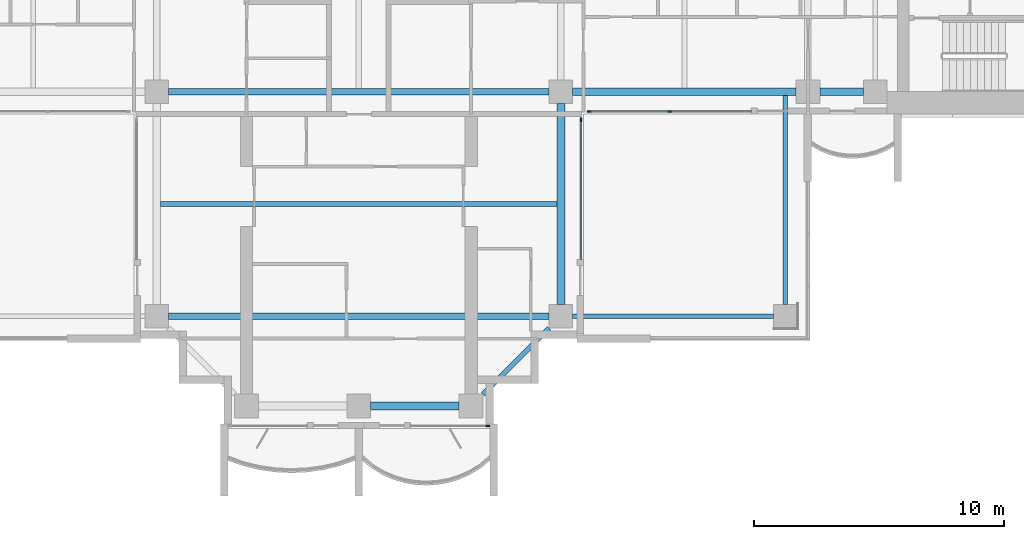
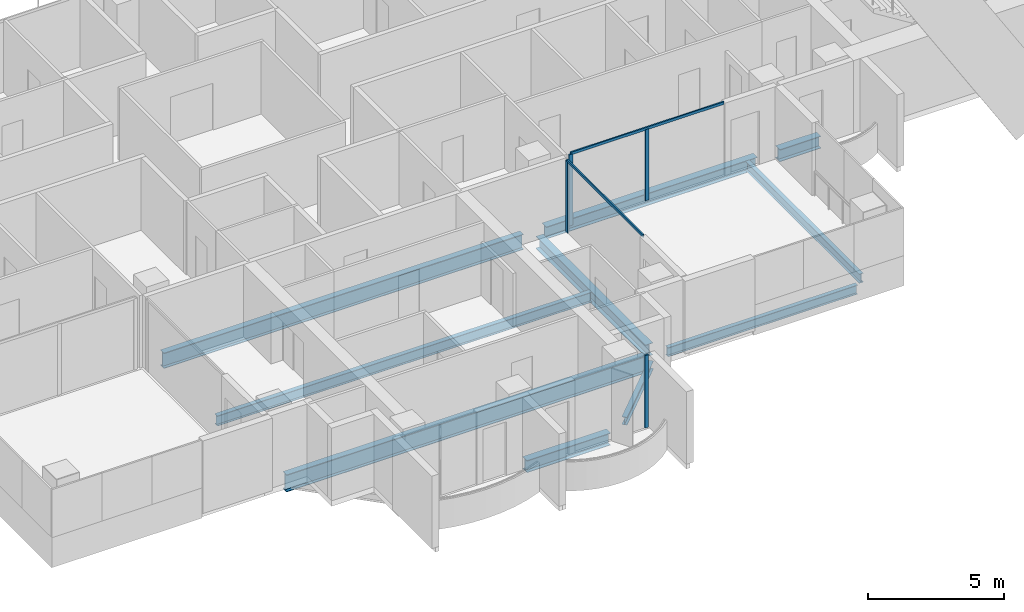
# One storey, part 3 of 17: 10 beams, 6 members, 3 elements without a shape of their own.
"""IFC4 building model written with IfcOpenShell, lengths in metres."""

from ifc_helpers import new_model, si_unit, direction, frame, origin, origin_2d, place, context, subcontext, project, spatial, rectangle, i_section, extrude, material, material_profile, profile_set, type_object, element, aggregate, save


model = new_model("IFC4")

# Units and contexts
model_context = context("Model", 3, precision=1e-05, world=origin(), true_north=direction((0.0, 1.0)))
body_context = subcontext(model_context, "Body", "Model", "MODEL_VIEW")
ifc_project = project(units=[si_unit("LENGTHUNIT", "METRE"), si_unit("AREAUNIT", "SQUARE_METRE"), si_unit("VOLUMEUNIT", "CUBIC_METRE"), si_unit("PLANEANGLEUNIT", "RADIAN"), si_unit("MASSUNIT", "GRAM", prefix="KILO")], contexts=[model_context])

# Site, building, storey
site_placement = place(None, origin())
site = spatial("IfcSite", under=ifc_project, at=site_placement, CompositionType="ELEMENT")
building_placement = place(site_placement, origin())
building = spatial("IfcBuilding", under=site, at=building_placement, Name="Perihelion Cross Residences", CompositionType="ELEMENT")
storey_placement = place(building_placement, frame((0.0, 0.0, 208.60009765625)))
storey = spatial("IfcBuildingStorey", under=building, at=storey_placement, Name="L52", CompositionType="ELEMENT", Elevation=208.60009765625)

# Curtain wall, member
ifc_material_1 = material(Name="Bronze anodised aluminium, tinted glazing", Category="aluminium")
curtain_wall_type = type_object("IfcCurtainWallType", Name="CW1", PredefinedType="NOTDEFINED", material=ifc_material_1)
curtain_wall_1_placement = place(storey_placement, origin())
curtain_wall_1 = element("IfcCurtainWall", 1, at=curtain_wall_1_placement, inside=storey, type_object=curtain_wall_type, Name="Curtain wall CW1 L52 south tip south bay 2", PredefinedType="NOTDEFINED")
ifc_material_2 = material(Name="Bronze anodised aluminium", Category="aluminium")
ifc_material_profile_1 = material_profile(ifc_material_2, rectangle(XDim=0.06005859375, YDim=0.159912109375, at=origin_2d()), Name="CW1 mullion")
ifc_profile_set_1 = profile_set([ifc_material_profile_1], Name="Bronze anodised aluminium")
member_type_1 = type_object("IfcMemberType", Name="CW1 mullion", PredefinedType="MULLION", material=ifc_profile_set_1)
member_1_placement = place(storey_placement, frame((5.169921875, -21.5, 0.0), z_axis=(0.0, 0.0, 1.0), x_axis=(0.0, 1.0, 0.0)))
member_1 = element("IfcMember", 2, at=member_1_placement, type_object=member_type_1, Name="CW1 mullion 2", PredefinedType="MULLION", context=body_context, shape_type="SweptSolid", body=[
    extrude(rectangle(XDim=0.06005859375, YDim=0.159912109375, at=origin_2d()), origin(), (0.0, 0.0, 1.0), 3.25),
])
aggregate(curtain_wall_1, [member_1])

curtain_wall_2_placement = place(storey_placement, origin())
curtain_wall_2 = element("IfcCurtainWall", 3, at=curtain_wall_2_placement, inside=storey, type_object=curtain_wall_type, Name="Curtain wall CW1 L52 south side east bay 1", PredefinedType="NOTDEFINED")
member_2_placement = place(storey_placement, frame((8.89990234375, -9.22998046875, 0.0), z_axis=(0.0, 0.0, 1.0), x_axis=(-1.0, 0.0, 0.0)))
member_2 = element("IfcMember", 4, at=member_2_placement, type_object=member_type_1, Name="CW1 mullion 2", PredefinedType="MULLION", context=body_context, shape_type="SweptSolid", body=[
    extrude(rectangle(XDim=0.06005859375, YDim=0.159912109375, at=origin_2d()), origin(), (0.0, 0.0, 1.0), 3.18994140625),
])

# Curtain wall, members
curtain_wall_3_placement = place(storey_placement, origin())
curtain_wall_3 = element("IfcCurtainWall", 5, at=curtain_wall_3_placement, inside=storey, type_object=curtain_wall_type, Name="Curtain wall CW1 L52 east side south bay 1", PredefinedType="NOTDEFINED")
member_3_placement = place(storey_placement, frame((9.22998046875, -8.89990234375, 0.0), z_axis=(0.0, 0.0, 1.0), x_axis=(0.0, 1.0, 0.0)))
member_3 = element("IfcMember", 6, at=member_3_placement, type_object=member_type_1, Name="CW1 mullion 1", PredefinedType="MULLION", context=body_context, shape_type="SweptSolid", body=[
    extrude(rectangle(XDim=0.06005859375, YDim=0.159912109375, at=origin_2d()), origin(), (0.0, 0.0, 1.0), 3.18994140625),
])
member_4_placement = place(storey_placement, frame((12.46240234375, -8.89990234375, 0.0), z_axis=(0.0, 0.0, 1.0), x_axis=(0.0, 1.0, 0.0)))
member_4 = element("IfcMember", 7, at=member_4_placement, type_object=member_type_1, Name="CW1 mullion 2", PredefinedType="MULLION", context=body_context, shape_type="SweptSolid", body=[
    extrude(rectangle(XDim=0.06005859375, YDim=0.159912109375, at=origin_2d()), origin(), (0.0, 0.0, 1.0), 3.18994140625),
])

# Member
ifc_material_3 = material(Name="Bronze anodised aluminium", Category="aluminium")
ifc_material_profile_2 = material_profile(ifc_material_3, rectangle(XDim=0.06005859375, YDim=0.1201171875, at=origin_2d()), Name="CW1 transom")
ifc_profile_set_2 = profile_set([ifc_material_profile_2], Name="Bronze anodised aluminium")
member_type_2 = type_object("IfcMemberType", Name="CW1 transom", PredefinedType="USERDEFINED", material=ifc_profile_set_2)
member_5_placement = place(storey_placement, frame((8.89990234375, -14.824951171875, 3.219970703125), z_axis=(0.0, 1.0, 0.0), x_axis=(-1.0, 0.0, 0.0)))
member_5 = element("IfcMember", 8, at=member_5_placement, type_object=member_type_2, Name="CW1 head transom", ObjectType="TRANSOM", PredefinedType="USERDEFINED", context=body_context, shape_type="SweptSolid", body=[
    extrude(rectangle(XDim=0.06005859375, YDim=0.1201171875, at=origin_2d()), origin(), (0.0, 0.0, 1.0), 5.594970703125),
])

aggregate(curtain_wall_2, [member_2, member_5])

member_6_placement = place(storey_placement, frame((9.22998046875, -8.89990234375, 3.219970703125), z_axis=(1.0, 0.0, 0.0), x_axis=(0.0, 1.0, 0.0)))
member_6 = element("IfcMember", 9, at=member_6_placement, type_object=member_type_2, Name="CW1 head transom", ObjectType="TRANSOM", PredefinedType="USERDEFINED", context=body_context, shape_type="SweptSolid", body=[
    extrude(rectangle(XDim=0.06005859375, YDim=0.1201171875, at=origin_2d()), origin(), (0.0, 0.0, 1.0), 6.4951171875),
])

aggregate(curtain_wall_3, [member_3, member_4, member_6])

# Beams
ifc_material_4 = material(Name="Steel S355", Category="steel")
ifc_material_profile_3 = material_profile(ifc_material_4, i_section(OverallWidth=0.177978515625, OverallDepth=0.406005859375, WebThickness=0.0078125, FlangeThickness=0.0126953125, at=origin_2d()), Name="W410x60")
ifc_profile_set_3 = profile_set([ifc_material_profile_3], Name="Steel S355")
beam_type_1 = type_object("IfcBeamType", Name="Core edge beam W410x60", PredefinedType="BEAM", material=ifc_profile_set_3)
beam_1_placement = place(storey_placement, frame((17.10009765625, -8.256103515625, -0.453125), z_axis=(0.0, -1.0, 0.0), x_axis=(1.0, 0.0, 0.0)))
element("IfcBeam", 10, at=beam_1_placement, inside=storey, type_object=beam_type_1, Name="Core edge beam TB2 L52 corner no. 3", PredefinedType="BEAM", context=body_context, shape_type="SweptSolid", body=[
    extrude(i_section(OverallWidth=0.177978515625, OverallDepth=0.406005859375, WebThickness=0.0078125, FlangeThickness=0.0126953125, at=origin_2d()), origin(), (0.0, 0.0, 1.0), 8.368896484375),
])
beam_2_placement = place(storey_placement, frame((8.574951171875, -17.10009765625, -0.453125), z_axis=(1.0, 0.0, 0.0), x_axis=(0.0, 1.0, 0.0)))
element("IfcBeam", 11, at=beam_2_placement, inside=storey, type_object=beam_type_1, Name="Core edge beam TB2 L52 corner no. 4", PredefinedType="BEAM", context=body_context, shape_type="SweptSolid", body=[
    extrude(i_section(OverallWidth=0.177978515625, OverallDepth=0.406005859375, WebThickness=0.0078125, FlangeThickness=0.0126953125, at=origin_2d()), origin(), (0.0, 0.0, 1.0), 8.050048828125),
])
ifc_material_5 = material(Name="Steel S355", Category="steel")
ifc_material_profile_4 = material_profile(ifc_material_5, i_section(OverallWidth=0.31201171875, OverallDepth=0.5439453125, WebThickness=0.0126953125, FlangeThickness=0.020263671875, at=origin_2d()), Name="W530x150")
ifc_profile_set_4 = profile_set([ifc_material_profile_4], Name="Steel S355")
beam_type_2 = type_object("IfcBeamType", Name="Edge beam W530x150", PredefinedType="SPANDREL", material=ifc_profile_set_4)
beam_3_placement = place(storey_placement, frame((0.47509765625, -20.699951171875, -0.522216796875), z_axis=(1.0, 0.0, 0.0), x_axis=(0.0, 1.0, 0.0)))
element("IfcBeam", 12, at=beam_3_placement, inside=storey, type_object=beam_type_2, Name="Edge beam SB4 L52 no. 7", PredefinedType="SPANDREL", context=body_context, shape_type="SweptSolid", body=[
    extrude(i_section(OverallWidth=0.31201171875, OverallDepth=0.5439453125, WebThickness=0.0126953125, FlangeThickness=0.020263671875, at=origin_2d()), origin(), (0.0, 0.0, 1.0), 3.5498046875),
])
beam_4_placement = place(storey_placement, frame((8.10009765625, -16.625, -0.522216796875), z_axis=(0.0, 1.0, 0.0), x_axis=(-1.0, 0.0, 0.0)))
element("IfcBeam", 13, at=beam_4_placement, inside=storey, type_object=beam_type_2, Name="Edge beam SB4 L52 no. 11", PredefinedType="SPANDREL", context=body_context, shape_type="SweptSolid", body=[
    extrude(i_section(OverallWidth=0.31201171875, OverallDepth=0.5439453125, WebThickness=0.0126953125, FlangeThickness=0.020263671875, at=origin_2d()), origin(), (0.0, 0.0, 1.0), 8.050048828125),
])
beam_5_placement = place(storey_placement, frame((8.574951171875, -8.10009765625, -0.522216796875), z_axis=(1.0, 0.0, 0.0), x_axis=(0.0, 1.0, 0.0)))
element("IfcBeam", 14, at=beam_5_placement, inside=storey, type_object=beam_type_2, Name="Edge beam SB4 L52 no. 12", PredefinedType="SPANDREL", context=body_context, shape_type="SweptSolid", body=[
    extrude(i_section(OverallWidth=0.31201171875, OverallDepth=0.5439453125, WebThickness=0.0126953125, FlangeThickness=0.020263671875, at=origin_2d()), origin(), (0.0, 0.0, 1.0), 8.949951171875),
])
beam_6_placement = place(storey_placement, frame((18.47509765625, -8.10009765625, -0.522216796875), z_axis=(1.0, 0.0, 0.0), x_axis=(0.0, 1.0, 0.0)))
element("IfcBeam", 15, at=beam_6_placement, inside=storey, type_object=beam_type_2, Name="Edge beam SB4 L52 no. 8", PredefinedType="SPANDREL", context=body_context, shape_type="SweptSolid", body=[
    extrude(i_section(OverallWidth=0.31201171875, OverallDepth=0.5439453125, WebThickness=0.0126953125, FlangeThickness=0.020263671875, at=origin_2d()), origin(), (0.0, 0.0, 1.0), 1.75),
])
ifc_material_6 = material(Name="Steel S355", Category="steel")
ifc_material_profile_5 = material_profile(ifc_material_6, i_section(OverallWidth=0.26708984375, OverallDepth=0.77001953125, WebThickness=0.015625, FlangeThickness=0.025390625, at=origin_2d()), Name="W760x196")
ifc_profile_set_5 = profile_set([ifc_material_profile_5], Name="Steel S355")
beam_type_3 = type_object("IfcBeamType", Name="Floor girder W760x196", PredefinedType="BEAM", material=ifc_profile_set_5)
beam_7_placement = place(storey_placement, frame((-7.625, -17.10009765625, -0.635009765625), z_axis=(1.0, 0.0, 0.0), x_axis=(0.0, 1.0, 0.0)))
element("IfcBeam", 16, at=beam_7_placement, inside=storey, type_object=beam_type_3, Name="Girder G4 L52 no. 3", PredefinedType="BEAM", context=body_context, shape_type="SweptSolid", body=[
    extrude(i_section(OverallWidth=0.26708984375, OverallDepth=0.77001953125, WebThickness=0.015625, FlangeThickness=0.025390625, at=origin_2d()), origin(), (0.0, 0.0, 1.0), 15.25),
])
ifc_material_7 = material(Name="Steel S355", Category="steel")
ifc_material_profile_6 = material_profile(ifc_material_7, i_section(OverallWidth=0.19091796875, OverallDepth=0.45703125, WebThickness=0.009033203125, FlangeThickness=0.014404296875, at=origin_2d()), Name="W460x74")
ifc_profile_set_6 = profile_set([ifc_material_profile_6], Name="Steel S355")
beam_type_4 = type_object("IfcBeamType", Name="Floor joist W460x74", PredefinedType="JOIST", material=ifc_profile_set_6)
beam_8_placement = place(storey_placement, frame((-7.944091796875, -12.60009765625, -0.478515625), z_axis=(1.0, 0.0, 0.0), x_axis=(0.0, 1.0, 0.0)))
element("IfcBeam", 17, at=beam_8_placement, inside=storey, type_object=beam_type_4, Name="Joist J5 L52 no. 3", PredefinedType="JOIST", context=body_context, shape_type="SweptSolid", body=[
    extrude(i_section(OverallWidth=0.19091796875, OverallDepth=0.45703125, WebThickness=0.009033203125, FlangeThickness=0.014404296875, at=origin_2d()), origin(), (0.0, 0.0, 1.0), 15.88818359375),
])
ifc_material_8 = material(Name="Steel S355", Category="steel")
ifc_material_profile_7 = material_profile(ifc_material_8, i_section(OverallWidth=0.257080078125, OverallDepth=0.693115234375, WebThickness=0.014404296875, FlangeThickness=0.023681640625, at=origin_2d()), Name="W690x170")
ifc_profile_set_7 = profile_set([ifc_material_profile_7], Name="Steel S355")
beam_type_5 = type_object("IfcBeamType", Name="Hub ring girder W690x170", PredefinedType="BEAM", material=ifc_profile_set_7)
beam_9_placement = place(storey_placement, frame((-7.625, -8.10009765625, -0.5966796875), z_axis=(1.0, 0.0, 0.0), x_axis=(0.0, 1.0, 0.0)))
element("IfcBeam", 18, at=beam_9_placement, inside=storey, type_object=beam_type_5, Name="Hub ring girder RG4 L52 no. 1", PredefinedType="BEAM", context=body_context, shape_type="SweptSolid", body=[
    extrude(i_section(OverallWidth=0.257080078125, OverallDepth=0.693115234375, WebThickness=0.014404296875, FlangeThickness=0.023681640625, at=origin_2d()), origin(), (0.0, 0.0, 1.0), 15.25),
])
ifc_material_9 = material(Name="Steel S355", Category="steel")
ifc_material_profile_8 = material_profile(ifc_material_9, i_section(OverallWidth=0.205078125, OverallDepth=0.35302734375, WebThickness=0.009521484375, FlangeThickness=0.016845703125, at=origin_2d()), Name="W360x79")
ifc_profile_set_8 = profile_set([ifc_material_profile_8], Name="Steel S355")
beam_type_6 = type_object("IfcBeamType", Name="Serration edge beam W360x79", PredefinedType="BEAM", material=ifc_profile_set_8)
beam_10_placement = place(storey_placement, frame((4.97509765625, -20.22509765625, -0.426513671875), z_axis=(0.70707420838, 0.707139352493, 0.0), x_axis=(-0.707139352493, 0.70707420838, 0.0)))
element("IfcBeam", 19, at=beam_10_placement, inside=storey, type_object=beam_type_6, Name="Serration edge beam EB4 L52 no. 2", PredefinedType="BEAM", context=body_context, shape_type="SweptSolid", body=[
    extrude(i_section(OverallWidth=0.205078125, OverallDepth=0.35302734375, WebThickness=0.009521484375, FlangeThickness=0.016845703125, at=origin_2d()), origin(), (0.0, 0.0, 1.0), 3.747802734375),
])

save(model, "model.ifc")
